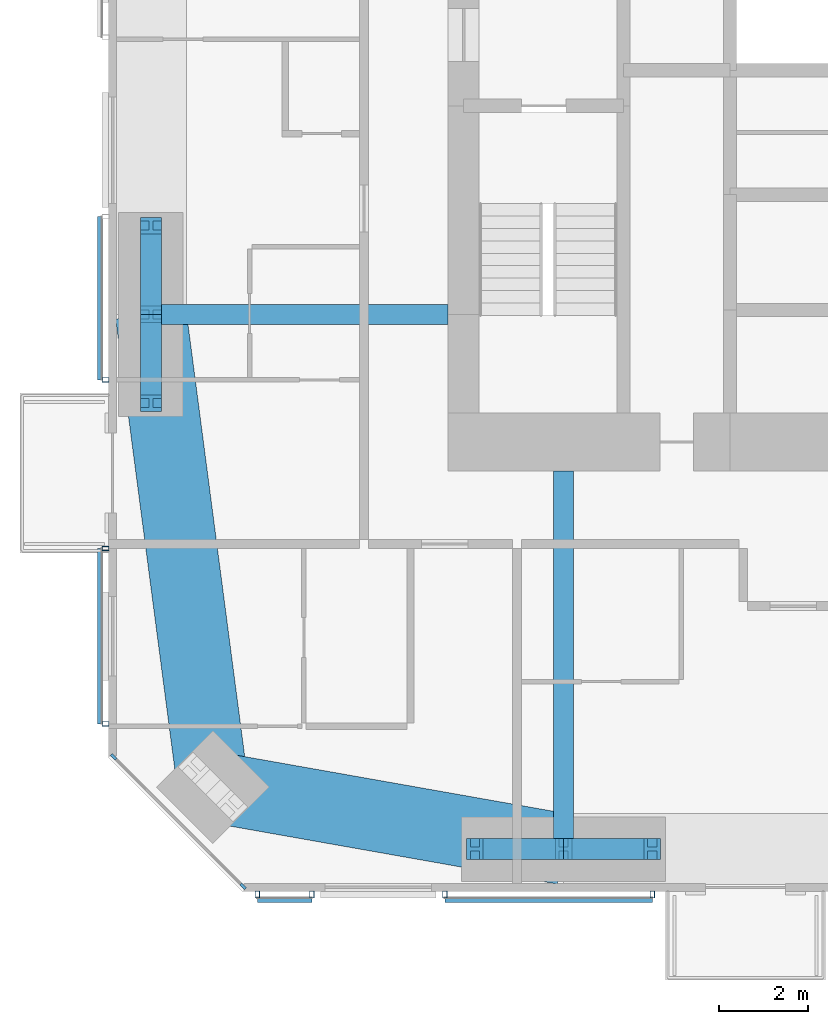
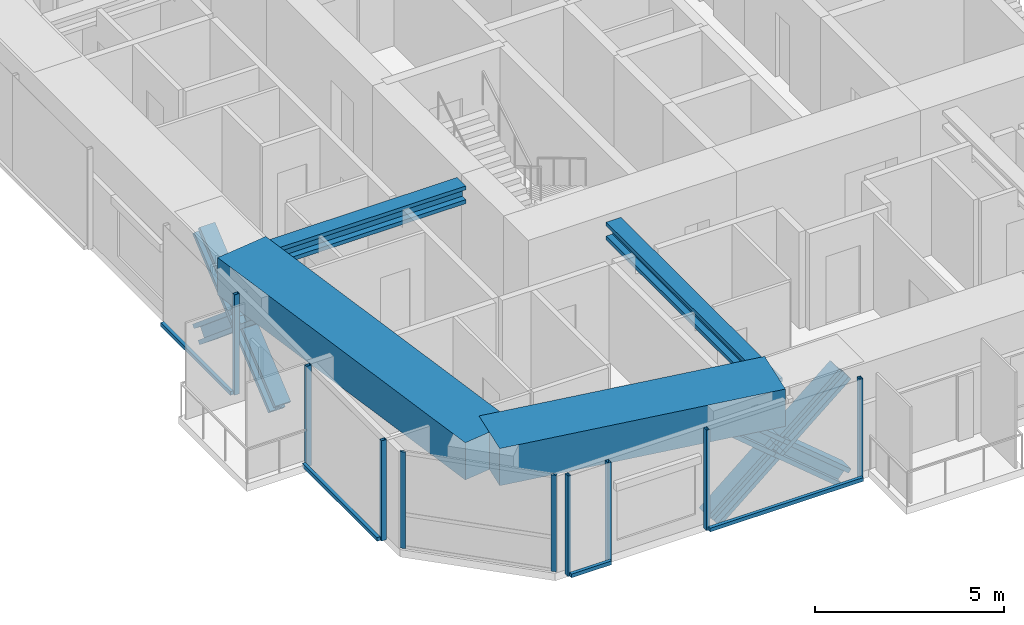
# One storey, part 2 of 23: 21 members, 4 beams, 5 elements without a shape of their own.
"""IFC4 building model written with IfcOpenShell, lengths in metres."""

from ifc_helpers import new_model, si_unit, direction, frame, origin, origin_2d, place, context, subcontext, project, spatial, rectangle, hollow_rectangle, i_section, extrude, material, material_profile, profile_set, type_object, element, aggregate, save


model = new_model("IFC4")

# Units and contexts
model_context = context("Model", 3, precision=1e-05, world=origin(), true_north=direction((0.0, 1.0)))
body_context = subcontext(model_context, "Body", "Model", "MODEL_VIEW")
ifc_project = project(units=[si_unit("LENGTHUNIT", "METRE"), si_unit("AREAUNIT", "SQUARE_METRE"), si_unit("VOLUMEUNIT", "CUBIC_METRE"), si_unit("PLANEANGLEUNIT", "RADIAN"), si_unit("MASSUNIT", "GRAM", prefix="KILO")], contexts=[model_context])

# Site, building, storey
site_placement = place(None, origin())
site = spatial("IfcSite", under=ifc_project, at=site_placement, CompositionType="ELEMENT")
building_placement = place(site_placement, origin())
building = spatial("IfcBuilding", under=site, at=building_placement, Name="Jalousie Tower", CompositionType="ELEMENT")
storey_placement = place(building_placement, frame((0.0, 0.0, 167.75)))
storey = spatial("IfcBuildingStorey", under=building, at=storey_placement, Name="L45", CompositionType="ELEMENT", Elevation=167.75)

# Curtain wall, members
ifc_material_1 = material(Name="Aluminium curtain wall", Category="aluminium")
curtain_wall_type_1 = type_object("IfcCurtainWallType", Name="CORNER WINDOW WALL", PredefinedType="USERDEFINED", material=ifc_material_1)
curtain_wall_1_placement = place(storey_placement, origin())
curtain_wall_1 = element("IfcCurtainWall", 1, at=curtain_wall_1_placement, inside=storey, type_object=curtain_wall_type_1, Name="Corner Window Wall L45 8", ObjectType="CORNER WINDOW WALL", PredefinedType="USERDEFINED")
ifc_material_2 = material(Name="Aluminium mullion", Category="aluminium")
ifc_material_profile_1 = material_profile(ifc_material_2, rectangle(XDim=0.06005859375, YDim=0.14990234375, at=origin_2d()), Name="MULLION 60x150")
ifc_profile_set_1 = profile_set([ifc_material_profile_1], Name="Aluminium mullion")
member_type_1 = type_object("IfcMemberType", Name="CORNER WINDOW WALL MULLION", PredefinedType="MULLION", material=ifc_profile_set_1)
member_1_placement = place(storey_placement, frame((12.108642578125, 3.030029296875, 0.0), z_axis=(0.0, 0.0, 1.0), x_axis=(0.707106781187, 0.707106781187, 0.0)))
member_1 = element("IfcMember", 2, at=member_1_placement, type_object=member_type_1, Name="CW-C mullion 1", PredefinedType="MULLION", context=body_context, shape_type="SweptSolid", body=[
    extrude(rectangle(XDim=0.06005859375, YDim=0.14990234375, at=origin_2d()), origin(), (0.0, 0.0, 1.0), 3.110107421875),
])
member_2_placement = place(storey_placement, frame((15.030029296875, 0.108642578125, 0.0), z_axis=(0.0, 0.0, 1.0), x_axis=(0.707106781187, 0.707106781187, 0.0)))
member_2 = element("IfcMember", 3, at=member_2_placement, type_object=member_type_1, Name="CW-C mullion 2", PredefinedType="MULLION", context=body_context, shape_type="SweptSolid", body=[
    extrude(rectangle(XDim=0.06005859375, YDim=0.14990234375, at=origin_2d()), origin(), (0.0, 0.0, 1.0), 3.110107421875),
])
aggregate(curtain_wall_1, [member_1, member_2])

# Beams
ifc_material_3 = material(Name="Steel ASTM A992 Grade 50", Category="steel")
ifc_material_profile_2 = material_profile(ifc_material_3, i_section(OverallWidth=0.45458984375, OverallDepth=0.569091796875, WebThickness=0.077880859375, FlangeThickness=0.124755859375, at=origin_2d()), Name="W14X730")
ifc_profile_set_2 = profile_set([ifc_material_profile_2], Name="Steel ASTM A992 Grade 50")
beam_type_1 = type_object("IfcBeamType", Name="LEAN COLLECTOR W14X730", PredefinedType="BEAM", material=ifc_profile_set_2)
beam_1_placement = place(storey_placement, frame((12.949951171875, 13.0, 2.825439453125), z_axis=(1.0, 0.0, 0.0), x_axis=(0.0, 1.0, 0.0)))
element("IfcBeam", 4, at=beam_1_placement, inside=storey, type_object=beam_type_1, Name="Lean collector under L46", PredefinedType="BEAM", context=body_context, shape_type="SweptSolid", body=[
    extrude(i_section(OverallWidth=0.45458984375, OverallDepth=0.569091796875, WebThickness=0.077880859375, FlangeThickness=0.124755859375, at=origin_2d()), origin(), (0.0, 0.0, 1.0), 6.699951171875),
])
beam_2_placement = place(storey_placement, frame((22.25, 0.949951171875, 2.825439453125), z_axis=(0.0, 1.0, 0.0), x_axis=(-1.0, 0.0, 0.0)))
element("IfcBeam", 5, at=beam_2_placement, inside=storey, type_object=beam_type_1, Name="Lean collector under L46", PredefinedType="BEAM", context=body_context, shape_type="SweptSolid", body=[
    extrude(i_section(OverallWidth=0.45458984375, OverallDepth=0.569091796875, WebThickness=0.077880859375, FlangeThickness=0.124755859375, at=origin_2d()), origin(), (0.0, 0.0, 1.0), 8.525146484375),
])

# Members
ifc_material_4 = material(Name="Steel ASTM A992 Grade 50", Category="steel")
ifc_material_profile_3 = material_profile(ifc_material_4, i_section(OverallWidth=0.472412109375, OverallDepth=0.5791015625, WebThickness=0.094970703125, FlangeThickness=0.1298828125, at=origin_2d()), Name="W14X808")
ifc_profile_set_3 = profile_set([ifc_material_profile_3], Name="Steel ASTM A992 Grade 50")
member_type_2 = type_object("IfcMemberType", Name="PERIMETER BRACE W14X808", PredefinedType="BRACE", material=ifc_profile_set_3)
for number, where, z_axis, x_axis, name in (
    (6, (20.25, 0.949951171875, -0.60009765625), (0.766638753323, 0.0, 0.642078672674), (0.0, 1.0, 0.0), "Perimeter brace 02 L45 part 1"),
    (7, (22.25, 0.949951171875, 1.074951171875), (0.766638753323, 0.0, 0.642078672674), (0.0, 1.0, 0.0), "Perimeter brace 02 L45 part 2"),
    (8, (24.25, 0.949951171875, -0.60009765625), (-0.766638753323, 0.0, 0.642078672674), (0.0, -1.0, 0.0), "Perimeter brace 02 L45 part 3"),
    (9, (22.25, 0.949951171875, 1.074951171875), (-0.766638753323, 0.0, 0.642078672674), (0.0, -1.0, 0.0), "Perimeter brace 02 L45 part 4"),
    (10, (12.949951171875, 11.0, -0.60009765625), (0.0, 0.766638753323, 0.642078672674), (-1.0, 0.0, 0.0), "Perimeter brace 14 L45 part 1"),
    (11, (12.949951171875, 13.0, 1.074951171875), (0.0, 0.766638753323, 0.642078672674), (-1.0, 0.0, 0.0), "Perimeter brace 14 L45 part 2"),
    (12, (12.949951171875, 15.0, -0.60009765625), (0.0, -0.766638753323, 0.642078672674), (1.0, 0.0, 0.0), "Perimeter brace 14 L45 part 3"),
    (13, (12.949951171875, 13.0, 1.074951171875), (0.0, -0.766638753323, 0.642078672674), (1.0, 0.0, 0.0), "Perimeter brace 14 L45 part 4"),
):
    element("IfcMember", number, at=place(storey_placement, frame(where, z_axis=z_axis, x_axis=x_axis)), inside=storey, type_object=member_type_2, Name=name, PredefinedType="BRACE", context=body_context, shape_type="SweptSolid", body=[
        extrude(i_section(OverallWidth=0.472412109375, OverallDepth=0.5791015625, WebThickness=0.094970703125, FlangeThickness=0.1298828125, at=origin_2d()), origin(), (0.0, 0.0, 1.0), 2.60888671875),
    ])

# Beams
ifc_material_5 = material(Name="Concrete f'c 40 MPa", Category="concrete")
ifc_material_profile_4 = material_profile(ifc_material_5, rectangle(XDim=1.60009765625, YDim=1.199951171875, at=origin_2d()), Name="RC 1600x1200")
ifc_profile_set_4 = profile_set([ifc_material_profile_4], Name="Concrete f'c 40 MPa")
beam_type_2 = type_object("IfcBeamType", Name="RC BEAM 1600x1200", PredefinedType="BEAM", material=ifc_profile_set_4)
beam_3_placement = place(storey_placement, frame((14.348388671875, 2.348388671875, 2.75), z_axis=(0.984697370688, -0.174273027632, 0.0), x_axis=(0.174273027632, 0.984697370688, 0.0)))
element("IfcBeam", 14, at=beam_3_placement, inside=storey, type_object=beam_type_2, Name="Edge band beam 01-02 under L46", PredefinedType="BEAM", context=body_context, shape_type="SweptSolid", body=[
    extrude(rectangle(XDim=1.60009765625, YDim=1.199951171875, at=origin_2d()), origin(), (0.0, 0.0, 1.0), 8.0244140625),
])
beam_4_placement = place(storey_placement, frame((12.949951171875, 13.0, 2.75), z_axis=(0.130171745558, -0.991491460709, 0.0), x_axis=(0.991491460709, 0.130171745558, 0.0)))
element("IfcBeam", 15, at=beam_4_placement, inside=storey, type_object=beam_type_2, Name="Edge band beam 14-01 under L46", PredefinedType="BEAM", context=body_context, shape_type="SweptSolid", body=[
    extrude(rectangle(XDim=1.60009765625, YDim=1.199951171875, at=origin_2d()), origin(), (0.0, 0.0, 1.0), 10.742919921875),
])

# Curtain wall, members
ifc_material_6 = material(Name="Perforated aluminium sheet", Category="aluminium")
curtain_wall_type_2 = type_object("IfcCurtainWallType", Name="SOLAR SCREEN SS-1", PredefinedType="USERDEFINED", material=ifc_material_6)
curtain_wall_2_placement = place(storey_placement, origin())
curtain_wall_2 = element("IfcCurtainWall", 16, at=curtain_wall_2_placement, inside=storey, type_object=curtain_wall_type_2, Name="Solar screen L45", ObjectType="SOLAR SCREEN SS-1", PredefinedType="USERDEFINED")
ifc_material_7 = material(Name="Steel ASTM A500 Grade C", Category="steel")
ifc_material_profile_5 = material_profile(ifc_material_7, hollow_rectangle(XDim=0.1015625, YDim=0.15234375, WallThickness=0.00634765625, at=origin_2d()), Name="HSS6X4X1/4")
ifc_profile_set_5 = profile_set([ifc_material_profile_5], Name="Steel ASTM A500 Grade C")
member_type_3 = type_object("IfcMemberType", Name="SOLAR SCREEN SS-1 MULLION", PredefinedType="MULLION", material=ifc_profile_set_5)
member_3_placement = place(storey_placement, frame((15.351318359375, -0.0712890625, -0.1201171875), z_axis=(0.0, 0.0, 1.0), x_axis=(1.0, 0.0, 0.0)))
member_3 = element("IfcMember", 17, at=member_3_placement, type_object=member_type_3, Name="SS1 post 1", PredefinedType="MULLION", context=body_context, shape_type="SweptSolid", body=[
    extrude(hollow_rectangle(XDim=0.1015625, YDim=0.15234375, WallThickness=0.00634765625, at=origin_2d()), origin(), (0.0, 0.0, 1.0), 3.230224609375),
])
member_4_placement = place(storey_placement, frame((16.57568359375, -0.0712890625, -0.1201171875), z_axis=(0.0, 0.0, 1.0), x_axis=(1.0, 0.0, 0.0)))
member_4 = element("IfcMember", 18, at=member_4_placement, type_object=member_type_3, Name="SS1 post 2", PredefinedType="MULLION", context=body_context, shape_type="SweptSolid", body=[
    extrude(hollow_rectangle(XDim=0.1015625, YDim=0.15234375, WallThickness=0.00634765625, at=origin_2d()), origin(), (0.0, 0.0, 1.0), 3.230224609375),
])

curtain_wall_3_placement = place(storey_placement, origin())
curtain_wall_3 = element("IfcCurtainWall", 19, at=curtain_wall_3_placement, inside=storey, type_object=curtain_wall_type_2, Name="Solar screen L45", ObjectType="SOLAR SCREEN SS-1", PredefinedType="USERDEFINED")
member_5_placement = place(storey_placement, frame((19.57568359375, -0.0712890625, -0.1201171875), z_axis=(0.0, 0.0, 1.0), x_axis=(1.0, 0.0, 0.0)))
member_5 = element("IfcMember", 20, at=member_5_placement, type_object=member_type_3, Name="SS1 post 1", PredefinedType="MULLION", context=body_context, shape_type="SweptSolid", body=[
    extrude(hollow_rectangle(XDim=0.1015625, YDim=0.15234375, WallThickness=0.00634765625, at=origin_2d()), origin(), (0.0, 0.0, 1.0), 3.230224609375),
])
member_6_placement = place(storey_placement, frame((24.25, -0.0712890625, -0.1201171875), z_axis=(0.0, 0.0, 1.0), x_axis=(1.0, 0.0, 0.0)))
member_6 = element("IfcMember", 21, at=member_6_placement, type_object=member_type_3, Name="SS1 post 2", PredefinedType="MULLION", context=body_context, shape_type="SweptSolid", body=[
    extrude(hollow_rectangle(XDim=0.1015625, YDim=0.15234375, WallThickness=0.00634765625, at=origin_2d()), origin(), (0.0, 0.0, 1.0), 3.230224609375),
])

# Curtain wall, member
curtain_wall_4_placement = place(storey_placement, origin())
curtain_wall_4 = element("IfcCurtainWall", 22, at=curtain_wall_4_placement, inside=storey, type_object=curtain_wall_type_2, Name="Solar screen L45", ObjectType="SOLAR SCREEN SS-1", PredefinedType="USERDEFINED")
member_7_placement = place(storey_placement, frame((11.9287109375, 11.52490234375, -0.1201171875), z_axis=(0.0, 0.0, 1.0), x_axis=(0.0, -1.0, 0.0)))
member_7 = element("IfcMember", 23, at=member_7_placement, type_object=member_type_3, Name="SS1 post 2", PredefinedType="MULLION", context=body_context, shape_type="SweptSolid", body=[
    extrude(hollow_rectangle(XDim=0.1015625, YDim=0.15234375, WallThickness=0.00634765625, at=origin_2d()), origin(), (0.0, 0.0, 1.0), 3.230224609375),
])

# Curtain wall, members
curtain_wall_5_placement = place(storey_placement, origin())
curtain_wall_5 = element("IfcCurtainWall", 24, at=curtain_wall_5_placement, inside=storey, type_object=curtain_wall_type_2, Name="Solar screen L45", ObjectType="SOLAR SCREEN SS-1", PredefinedType="USERDEFINED")
member_8_placement = place(storey_placement, frame((11.9287109375, 7.72509765625, -0.1201171875), z_axis=(0.0, 0.0, 1.0), x_axis=(0.0, -1.0, 0.0)))
member_8 = element("IfcMember", 25, at=member_8_placement, type_object=member_type_3, Name="SS1 post 1", PredefinedType="MULLION", context=body_context, shape_type="SweptSolid", body=[
    extrude(hollow_rectangle(XDim=0.1015625, YDim=0.15234375, WallThickness=0.00634765625, at=origin_2d()), origin(), (0.0, 0.0, 1.0), 3.230224609375),
])
member_9_placement = place(storey_placement, frame((11.9287109375, 3.771240234375, -0.1201171875), z_axis=(0.0, 0.0, 1.0), x_axis=(0.0, -1.0, 0.0)))
member_9 = element("IfcMember", 26, at=member_9_placement, type_object=member_type_3, Name="SS1 post 2", PredefinedType="MULLION", context=body_context, shape_type="SweptSolid", body=[
    extrude(hollow_rectangle(XDim=0.1015625, YDim=0.15234375, WallThickness=0.00634765625, at=origin_2d()), origin(), (0.0, 0.0, 1.0), 3.230224609375),
])

# Member
ifc_material_8 = material(Name="Extruded aluminium screen rail", Category="aluminium")
ifc_material_profile_6 = material_profile(ifc_material_8, rectangle(XDim=0.1015625, YDim=0.1201171875, at=origin_2d()), Name="RAIL 102x120")
ifc_profile_set_6 = profile_set([ifc_material_profile_6], Name="Extruded aluminium screen rail")
member_type_4 = type_object("IfcMemberType", Name="SOLAR SCREEN SS-1 TRANSOM", PredefinedType="USERDEFINED", material=ifc_profile_set_6)
member_10_placement = place(storey_placement, frame((15.351318359375, -0.1982421875, -0.06005859375), z_axis=(1.0, 0.0, 0.0), x_axis=(0.0, 1.0, 0.0)))
member_10 = element("IfcMember", 27, at=member_10_placement, type_object=member_type_4, Name="SS1 rail", ObjectType="TRANSOM", PredefinedType="USERDEFINED", context=body_context, shape_type="SweptSolid", body=[
    extrude(rectangle(XDim=0.1015625, YDim=0.1201171875, at=origin_2d()), origin(), (0.0, 0.0, 1.0), 1.224365234375),
])

aggregate(curtain_wall_2, [member_3, member_4, member_10])

member_11_placement = place(storey_placement, frame((19.57568359375, -0.1982421875, -0.06005859375), z_axis=(1.0, 0.0, 0.0), x_axis=(0.0, 1.0, 0.0)))
member_11 = element("IfcMember", 28, at=member_11_placement, type_object=member_type_4, Name="SS1 rail", ObjectType="TRANSOM", PredefinedType="USERDEFINED", context=body_context, shape_type="SweptSolid", body=[
    extrude(rectangle(XDim=0.1015625, YDim=0.1201171875, at=origin_2d()), origin(), (0.0, 0.0, 1.0), 4.67431640625),
])

aggregate(curtain_wall_3, [member_5, member_6, member_11])

member_12_placement = place(storey_placement, frame((11.8017578125, 15.205078125, -0.06005859375), z_axis=(0.0, -1.0, 0.0), x_axis=(1.0, 0.0, 0.0)))
member_12 = element("IfcMember", 29, at=member_12_placement, type_object=member_type_4, Name="SS1 rail", ObjectType="TRANSOM", PredefinedType="USERDEFINED", context=body_context, shape_type="SweptSolid", body=[
    extrude(rectangle(XDim=0.1015625, YDim=0.1201171875, at=origin_2d()), origin(), (0.0, 0.0, 1.0), 3.68017578125),
])

aggregate(curtain_wall_4, [member_7, member_12])

member_13_placement = place(storey_placement, frame((11.8017578125, 7.72509765625, -0.06005859375), z_axis=(0.0, -1.0, 0.0), x_axis=(1.0, 0.0, 0.0)))
member_13 = element("IfcMember", 30, at=member_13_placement, type_object=member_type_4, Name="SS1 rail", ObjectType="TRANSOM", PredefinedType="USERDEFINED", context=body_context, shape_type="SweptSolid", body=[
    extrude(rectangle(XDim=0.1015625, YDim=0.1201171875, at=origin_2d()), origin(), (0.0, 0.0, 1.0), 3.953857421875),
])

aggregate(curtain_wall_5, [member_8, member_9, member_13])

save(model, "model.ifc")
